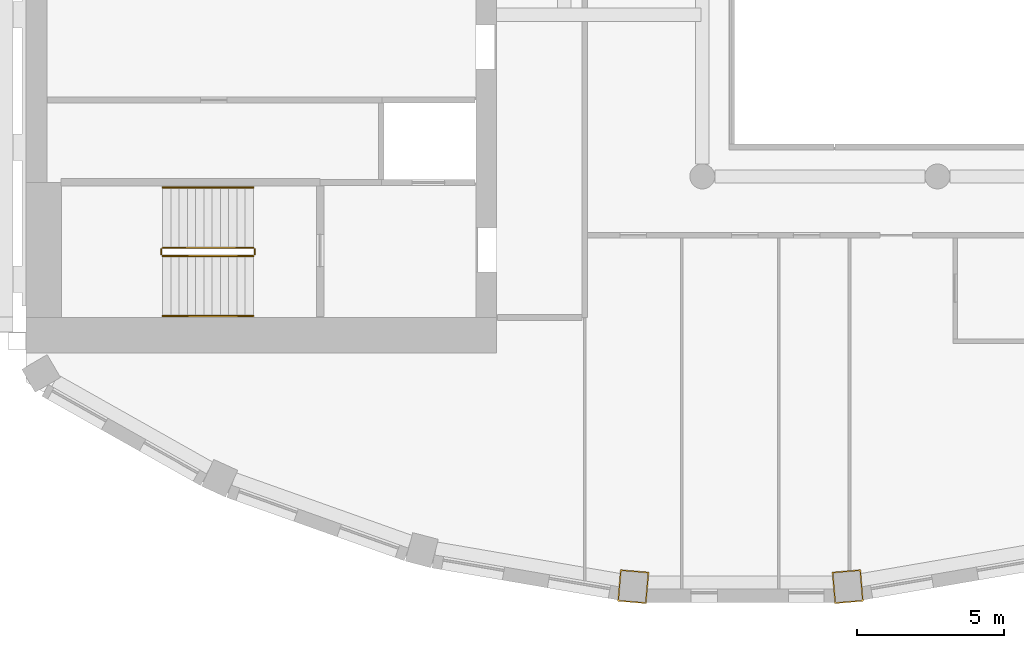
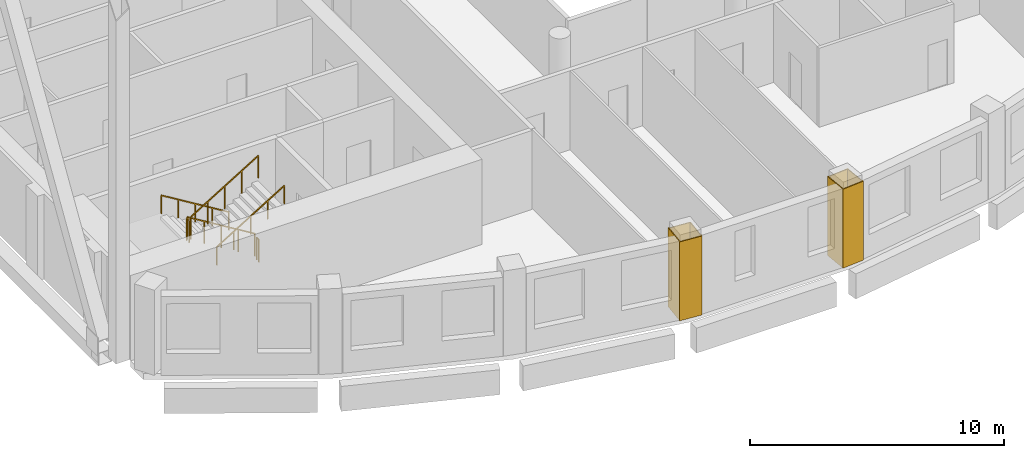
# One storey, part 14 of 18: 6 railings, 2 coverings.
"""IFC4 building model written with IfcOpenShell, lengths in metres."""

from ifc_helpers import new_model, si_unit, direction, frame, origin, origin_2d, place, context, subcontext, project, spatial, polyline, rectangle, outline, extrude, material, layer, layer_set, type_object, element, save


model = new_model("IFC4")

# Units and contexts
model_context = context("Model", 3, precision=1e-05, world=origin(), true_north=direction((0.0, 1.0)))
body_context = subcontext(model_context, "Body", "Model", "MODEL_VIEW")
ifc_project = project(units=[si_unit("LENGTHUNIT", "METRE"), si_unit("AREAUNIT", "SQUARE_METRE"), si_unit("VOLUMEUNIT", "CUBIC_METRE"), si_unit("PLANEANGLEUNIT", "RADIAN"), si_unit("MASSUNIT", "GRAM", prefix="KILO")], contexts=[model_context])

# Site, building, storey
site_placement = place(None, origin())
site = spatial("IfcSite", under=ifc_project, at=site_placement, CompositionType="ELEMENT")
building_placement = place(site_placement, origin())
building = spatial("IfcBuilding", under=site, at=building_placement, Name="Cypress Arch Tower", CompositionType="ELEMENT")
storey_placement = place(building_placement, frame((0.0, 0.0, 288.5)))
storey = spatial("IfcBuildingStorey", under=building, at=storey_placement, Name="L65", CompositionType="ELEMENT", Elevation=288.5)

# Coverings
ifc_material_1 = material(Name="Painted plasterboard column casing")
ifc_layer = layer(ifc_material_1, 0.0400390625)
ifc_layer_set = layer_set([ifc_layer], Name="Column casing CK40")
covering_type = type_object("IfcCoveringType", Name="Column casing CK40", PredefinedType="CLADDING", material=ifc_layer_set)
covering_1_placement = place(storey_placement, origin())
element("IfcCovering", 1, at=covering_1_placement, inside=storey, type_object=covering_type, Name="Column casing L65 CC14", PredefinedType="CLADDING", context=body_context, shape_type="SweptSolid", body=[
    extrude(outline(polyline([(-9.881103515625, -24.44970703125), (-9.789306640625, -23.373779296875), (-8.812744140625, -23.457275390625), (-8.90478515625, -24.533203125), (-9.881103515625, -24.44970703125)]), holes=[polyline([(-9.837890625, -24.413330078125), (-8.941162109375, -24.489990234375), (-8.85595703125, -23.49365234375), (-9.752685546875, -23.4169921875), (-9.837890625, -24.413330078125)])]), origin(), (0.0, 0.0, 1.0), 3.800048828125),
])
covering_2_placement = place(storey_placement, origin())
element("IfcCovering", 2, at=covering_2_placement, inside=storey, type_object=covering_type, Name="Column casing L65 CC15", PredefinedType="CLADDING", context=body_context, shape_type="SweptSolid", body=[
    extrude(outline(polyline([(-2.495361328125, -24.533203125), (-2.587158203125, -23.457275390625), (-1.61083984375, -23.373779296875), (-1.518798828125, -24.44970703125), (-2.495361328125, -24.533203125)]), holes=[polyline([(-2.458740234375, -24.489990234375), (-1.56201171875, -24.413330078125), (-1.647216796875, -23.4169921875), (-2.5439453125, -23.49365234375), (-2.458740234375, -24.489990234375)])]), origin(), (0.0, 0.0, 1.0), 3.800048828125),
])

# Railings
ifc_material_2 = material(Name="Black powder-coated steel square bar 48 mm", Category="steel")
railing_type_1 = type_object("IfcRailingType", Name="Stair handrail HR1", PredefinedType="HANDRAIL", material=ifc_material_2)
railing_1_placement = place(storey_placement, frame((-22.27490234375, -10.375, 0.1708984375)))
element("IfcRailing", 3, at=railing_1_placement, inside=storey, type_object=railing_type_1, Name="L65 A stair handrail 1", PredefinedType="HANDRAIL", context=body_context, shape_type="SweptSolid", body=[
    extrude(rectangle(XDim=0.048095703125, YDim=0.048095703125, at=origin_2d()), frame((0.0, 0.0, 0.8759765625), z_axis=(-0.853666305674, 0.0, 0.52082035152), x_axis=(0.0, -1.0, 0.0)), (0.0, 0.0, 1.0), 3.608154296875),
    extrude(rectangle(XDim=0.0419921875, YDim=0.0419921875, at=origin_2d()), origin(), (0.0, 0.0, 1.0), 0.851806640625),
    extrude(rectangle(XDim=0.0419921875, YDim=0.0419921875, at=origin_2d()), frame((-0.77001953125, 0.0, 0.4697265625)), (0.0, 0.0, 1.0), 0.851806640625),
    extrude(rectangle(XDim=0.0419921875, YDim=0.0419921875, at=origin_2d()), frame((-1.5400390625, 0.0, 0.939453125)), (0.0, 0.0, 1.0), 0.851806640625),
    extrude(rectangle(XDim=0.0419921875, YDim=0.0419921875, at=origin_2d()), frame((-2.31005859375, 0.0, 1.409423828125)), (0.0, 0.0, 1.0), 0.851806640625),
    extrude(rectangle(XDim=0.0419921875, YDim=0.0419921875, at=origin_2d()), frame((-3.080078125, 0.0, 1.879150390625)), (0.0, 0.0, 1.0), 0.851806640625),
])
railing_2_placement = place(storey_placement, frame((-25.35498046875, -14.75, 2.220947265625)))
element("IfcRailing", 4, at=railing_2_placement, inside=storey, type_object=railing_type_1, Name="L65 A stair handrail 2", PredefinedType="HANDRAIL", context=body_context, shape_type="SweptSolid", body=[
    extrude(rectangle(XDim=0.048095703125, YDim=0.048095703125, at=origin_2d()), frame((0.0, 0.0, 0.8759765625), z_axis=(0.853666305674, 0.0, 0.52082035152), x_axis=(0.0, 1.0, 0.0)), (0.0, 0.0, 1.0), 3.608154296875),
    extrude(rectangle(XDim=0.0419921875, YDim=0.0419921875, at=origin_2d()), origin(), (0.0, 0.0, 1.0), 0.851806640625),
    extrude(rectangle(XDim=0.0419921875, YDim=0.0419921875, at=origin_2d()), frame((0.77001953125, 0.0, 0.4697265625)), (0.0, 0.0, 1.0), 0.851806640625),
    extrude(rectangle(XDim=0.0419921875, YDim=0.0419921875, at=origin_2d()), frame((1.5400390625, 0.0, 0.939453125)), (0.0, 0.0, 1.0), 0.851806640625),
    extrude(rectangle(XDim=0.0419921875, YDim=0.0419921875, at=origin_2d()), frame((2.31005859375, 0.0, 1.409423828125)), (0.0, 0.0, 1.0), 0.851806640625),
    extrude(rectangle(XDim=0.0419921875, YDim=0.0419921875, at=origin_2d()), frame((3.080078125, 0.0, 1.879150390625)), (0.0, 0.0, 1.0), 0.851806640625),
])
ifc_material_3 = material(Name="Black powder-coated steel balusters", Category="steel")
railing_type_2 = type_object("IfcRailingType", Name="Stair well guard G1", PredefinedType="GUARDRAIL", material=ifc_material_3)
railing_3_placement = place(storey_placement, frame((-22.27490234375, -12.425048828125, 0.1708984375)))
element("IfcRailing", 5, at=railing_3_placement, inside=storey, type_object=railing_type_2, Name="L65 A stair guard 1", PredefinedType="GUARDRAIL", context=body_context, shape_type="SweptSolid", body=[
    extrude(rectangle(XDim=0.048095703125, YDim=0.048095703125, at=origin_2d()), frame((0.0, 0.0, 1.076171875), z_axis=(-0.853666305674, 0.0, 0.52082035152), x_axis=(0.0, -1.0, 0.0)), (0.0, 0.0, 1.0), 3.608154296875),
    extrude(rectangle(XDim=0.0419921875, YDim=0.0419921875, at=origin_2d()), origin(), (0.0, 0.0, 1.0), 1.052001953125),
    extrude(rectangle(XDim=0.0419921875, YDim=0.0419921875, at=origin_2d()), frame((-0.77001953125, 0.0, 0.4697265625)), (0.0, 0.0, 1.0), 1.052001953125),
    extrude(rectangle(XDim=0.0419921875, YDim=0.0419921875, at=origin_2d()), frame((-1.5400390625, 0.0, 0.939453125)), (0.0, 0.0, 1.0), 1.052001953125),
    extrude(rectangle(XDim=0.0419921875, YDim=0.0419921875, at=origin_2d()), frame((-2.31005859375, 0.0, 1.409423828125)), (0.0, 0.0, 1.0), 1.052001953125),
    extrude(rectangle(XDim=0.0419921875, YDim=0.0419921875, at=origin_2d()), frame((-3.080078125, 0.0, 1.879150390625)), (0.0, 0.0, 1.0), 1.052001953125),
])
railing_4_placement = place(storey_placement, frame((-25.405029296875, -12.47509765625, 2.050048828125)))
element("IfcRailing", 6, at=railing_4_placement, inside=storey, type_object=railing_type_2, Name="L65 A stair guard 2", PredefinedType="GUARDRAIL", context=body_context, shape_type="SweptSolid", body=[
    extrude(rectangle(XDim=0.048095703125, YDim=0.048095703125, at=origin_2d()), frame((0.0, 0.0, 1.076171875), z_axis=(0.0, -1.0, 0.0), x_axis=(1.0, 0.0, 0.0)), (0.0, 0.0, 1.0), 0.1748046875),
    extrude(rectangle(XDim=0.0419921875, YDim=0.0419921875, at=origin_2d()), origin(), (0.0, 0.0, 1.0), 1.052001953125),
    extrude(rectangle(XDim=0.0419921875, YDim=0.0419921875, at=origin_2d()), frame((0.0, -0.1748046875, 0.0)), (0.0, 0.0, 1.0), 1.052001953125),
])
railing_5_placement = place(storey_placement, frame((-25.35498046875, -12.699951171875, 2.220947265625)))
element("IfcRailing", 7, at=railing_5_placement, inside=storey, type_object=railing_type_2, Name="L65 A stair guard 3", PredefinedType="GUARDRAIL", context=body_context, shape_type="SweptSolid", body=[
    extrude(rectangle(XDim=0.048095703125, YDim=0.048095703125, at=origin_2d()), frame((0.0, 0.0, 1.076171875), z_axis=(0.853666305674, 0.0, 0.52082035152), x_axis=(0.0, 1.0, 0.0)), (0.0, 0.0, 1.0), 3.608154296875),
    extrude(rectangle(XDim=0.0419921875, YDim=0.0419921875, at=origin_2d()), origin(), (0.0, 0.0, 1.0), 1.052001953125),
    extrude(rectangle(XDim=0.0419921875, YDim=0.0419921875, at=origin_2d()), frame((0.77001953125, 0.0, 0.4697265625)), (0.0, 0.0, 1.0), 1.052001953125),
    extrude(rectangle(XDim=0.0419921875, YDim=0.0419921875, at=origin_2d()), frame((1.5400390625, 0.0, 0.939453125)), (0.0, 0.0, 1.0), 1.052001953125),
    extrude(rectangle(XDim=0.0419921875, YDim=0.0419921875, at=origin_2d()), frame((2.31005859375, 0.0, 1.409423828125)), (0.0, 0.0, 1.0), 1.052001953125),
    extrude(rectangle(XDim=0.0419921875, YDim=0.0419921875, at=origin_2d()), frame((3.080078125, 0.0, 1.879150390625)), (0.0, 0.0, 1.0), 1.052001953125),
])
railing_6_placement = place(storey_placement, frame((-22.22509765625, -12.47509765625, 0.0)))
element("IfcRailing", 8, at=railing_6_placement, inside=storey, type_object=railing_type_2, Name="L65 A stair guard 4", PredefinedType="GUARDRAIL", context=body_context, shape_type="SweptSolid", body=[
    extrude(rectangle(XDim=0.048095703125, YDim=0.048095703125, at=origin_2d()), frame((0.0, 0.0, 1.076171875), z_axis=(0.0, -1.0, 0.0), x_axis=(1.0, 0.0, 0.0)), (0.0, 0.0, 1.0), 0.1748046875),
    extrude(rectangle(XDim=0.0419921875, YDim=0.0419921875, at=origin_2d()), origin(), (0.0, 0.0, 1.0), 1.052001953125),
    extrude(rectangle(XDim=0.0419921875, YDim=0.0419921875, at=origin_2d()), frame((0.0, -0.1748046875, 0.0)), (0.0, 0.0, 1.0), 1.052001953125),
])

save(model, "model.ifc")
